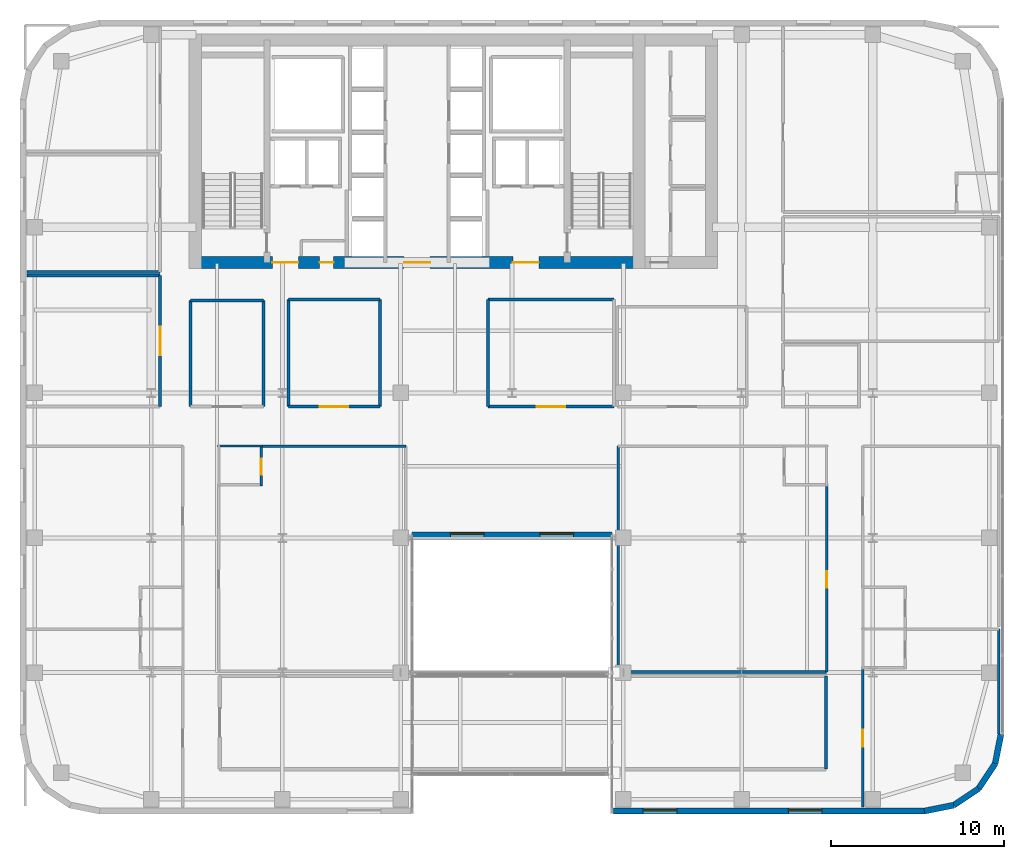
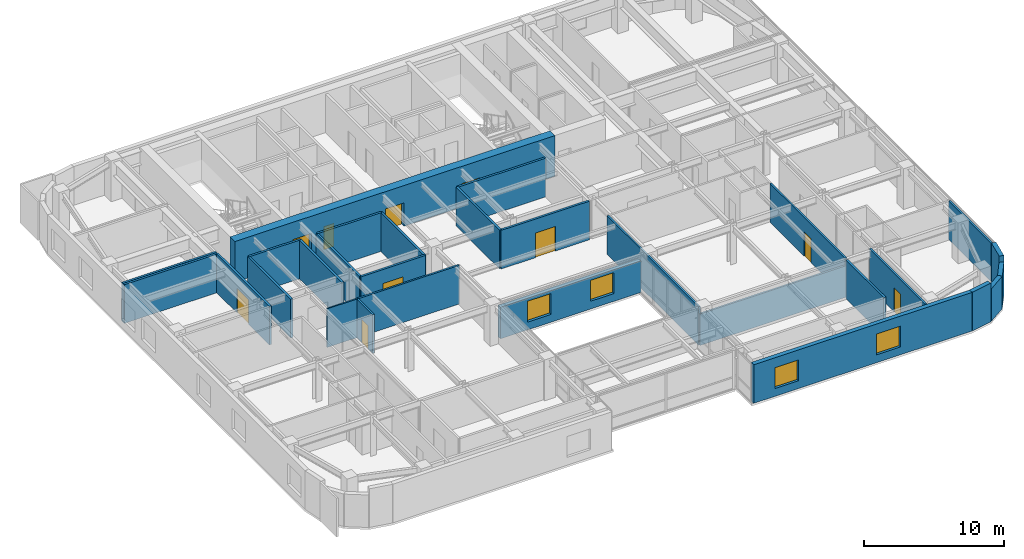
# One storey, part 19 of 25: 29 walls, 10 doors, 4 windows, 14 openings.
"""IFC4 building model written with IfcOpenShell, lengths in metres."""

from ifc_helpers import new_model, si_unit, direction, frame, frame_2d, origin, place, context, subcontext, project, spatial, rectangle, extrude, source, transform, mapped, material, layer, layer_set, type_object, type_shapes, element, fill, save


model = new_model("IFC4")

# Units and contexts
model_context = context("Model", 3, precision=1e-05, world=origin(), true_north=direction((0.0, 1.0)))
body_context = subcontext(model_context, "Body", "Model", "MODEL_VIEW")
ifc_project = project(units=[si_unit("LENGTHUNIT", "METRE"), si_unit("AREAUNIT", "SQUARE_METRE"), si_unit("VOLUMEUNIT", "CUBIC_METRE"), si_unit("PLANEANGLEUNIT", "RADIAN"), si_unit("MASSUNIT", "GRAM", prefix="KILO")], contexts=[model_context])

# Site, building, storey
site_placement = place(None, origin())
site = spatial("IfcSite", under=ifc_project, at=site_placement, CompositionType="ELEMENT")
building_placement = place(site_placement, origin())
building = spatial("IfcBuilding", under=site, at=building_placement, Name="Tolvann Quenvar Hotel", CompositionType="ELEMENT")
storey_placement = place(building_placement, frame((0.0, 0.0, 122.199951171875)))
storey = spatial("IfcBuildingStorey", under=building, at=storey_placement, Name="L31", CompositionType="ELEMENT", Elevation=122.199951171875)

# Wall, openings, doors
ifc_material_1 = material(Name="Concrete S65 (65 MPa)", Category="concrete")
ifc_layer_1 = layer(ifc_material_1, 0.699951171875)
ifc_layer_set_1 = layer_set([ifc_layer_1], Name="Concrete S65 (65 MPa)")
wall_type_1 = type_object("IfcWallType", Name="WALL_CORE_700", PredefinedType="SHEAR", material=ifc_layer_set_1)
wall_1_placement = place(storey_placement, frame((9.800048828125, 31.949951171875, 0.0), z_axis=(0.0, 0.0, 1.0), x_axis=(1.0, 0.0, 0.0)))
wall_1 = element("IfcWall", 1, at=wall_1_placement, inside=storey, type_object=wall_type_1, Name="Rear Core S Shear Wall (L31)", PredefinedType="SHEAR", context=body_context, shape_type="SweptSolid", body=[
    extrude(rectangle(XDim=26.39990234375, YDim=0.699951171875, at=frame_2d((13.199951171875, 0.0))), origin(), (0.0, 0.0, 1.0), 3.550048828125),
])
opening_1_placement = place(wall_1_placement, frame((6.320068359375, 0.0, 0.0), z_axis=(0.0, 0.0, 1.0), x_axis=(-1.0, 0.0, 0.0)))
opening_1 = element("IfcOpeningElement", 2, at=opening_1_placement, cuts=wall_1, Name="Opening FD-60D", PredefinedType="OPENING", context=body_context, shape_type="SweptSolid", body=[
    extrude(rectangle(XDim=1.5, YDim=2.0400390625, at=frame_2d((0.75, 1.02001953125))), frame((0.0, 0.35986328125, 0.0), z_axis=(0.0, -1.0, 0.0), x_axis=(1.0, 0.0, 0.0)), (0.0, 0.0, 1.0), 0.719970703125),
])
opening_2_placement = place(wall_1_placement, frame((13.949951171875, 0.0, 0.0), z_axis=(0.0, 0.0, 1.0), x_axis=(-1.0, 0.0, 0.0)))
opening_2 = element("IfcOpeningElement", 3, at=opening_2_placement, cuts=wall_1, Name="Opening FD-60D", PredefinedType="OPENING", context=body_context, shape_type="SweptSolid", body=[
    extrude(rectangle(XDim=1.5, YDim=2.0400390625, at=frame_2d((0.75, 1.02001953125))), frame((0.0, 0.35986328125, 0.0), z_axis=(0.0, -1.0, 0.0), x_axis=(1.0, 0.0, 0.0)), (0.0, 0.0, 1.0), 0.719970703125),
])
opening_3_placement = place(wall_1_placement, frame((20.25, 0.0, 0.0), z_axis=(0.0, 0.0, 1.0), x_axis=(-1.0, 0.0, 0.0)))
opening_3 = element("IfcOpeningElement", 4, at=opening_3_placement, cuts=wall_1, Name="Opening FD-60D", PredefinedType="OPENING", context=body_context, shape_type="SweptSolid", body=[
    extrude(rectangle(XDim=1.5, YDim=2.0400390625, at=frame_2d((0.75, 1.02001953125))), frame((0.0, 0.35986328125, 0.0), z_axis=(0.0, -1.0, 0.0), x_axis=(1.0, 0.0, 0.0)), (0.0, 0.0, 1.0), 0.719970703125),
])
opening_4_placement = place(wall_1_placement, frame((8.3701171875, 0.0, 0.0), z_axis=(0.0, 0.0, 1.0), x_axis=(-1.0, 0.0, 0.0)))
opening_4 = element("IfcOpeningElement", 5, at=opening_4_placement, cuts=wall_1, Name="Opening HD-02", PredefinedType="OPENING", context=body_context, shape_type="SweptSolid", body=[
    extrude(rectangle(XDim=0.820068359375, YDim=2.010009765625, at=frame_2d((0.41015625, 1.0048828125))), frame((0.0, 0.35986328125, 0.0), z_axis=(0.0, -1.0, 0.0), x_axis=(1.0, 0.0, 0.0)), (0.0, 0.0, 1.0), 0.719970703125),
])
ifc_material_2 = material(Name="Solid-core American oak acoustic fire door leaf in steel frame", Category="steel")
door_type_1 = type_object("IfcDoorType", Name="DOOR_FIRE_LOBBY_1500", OperationType="NOTDEFINED", PredefinedType="DOOR", material=ifc_material_2)
shared_shape_1 = source(origin(), body_context, "Body", "SweptSolid", [
    extrude(rectangle(XDim=1.5, YDim=2.0400390625, at=frame_2d((0.75, 1.02001953125))), frame((0.0, 0.02490234375, 0.0), z_axis=(0.0, -1.0, 0.0), x_axis=(1.0, 0.0, 0.0)), (0.0, 0.0, 1.0), 0.050048828125),
])
type_shapes(door_type_1, [shared_shape_1])
door_1_placement = place(opening_1_placement, origin())
door_1 = element("IfcDoor", 6, at=door_1_placement, inside=storey, type_object=door_type_1, Name="Core Lobby Fire Door FFW (L31)", OperationType="DOUBLE_DOOR_SINGLE_SWING", OverallHeight=2.0400390625, OverallWidth=1.5, PredefinedType="DOOR", context=body_context, shape_type="MappedRepresentation", body=[
    mapped(shared_shape_1, transform((0.0, 0.0, 0.0), x_axis=(1.0, 0.0, 0.0), y_axis=(0.0, 1.0, 0.0), z_axis=(0.0, 0.0, 1.0), scale=1.0)),
])
fill(opening_1, door_1)
door_2_placement = place(opening_2_placement, origin())
door_2 = element("IfcDoor", 7, at=door_2_placement, inside=storey, type_object=door_type_1, Name="Core Lobby Fire Door CLOB (L31)", OperationType="DOUBLE_DOOR_SINGLE_SWING", OverallHeight=2.0400390625, OverallWidth=1.5, PredefinedType="DOOR", context=body_context, shape_type="MappedRepresentation", body=[
    mapped(shared_shape_1, transform((0.0, 0.0, 0.0), x_axis=(1.0, 0.0, 0.0), y_axis=(0.0, 1.0, 0.0), z_axis=(0.0, 0.0, 1.0), scale=1.0)),
])
fill(opening_2, door_2)
door_3_placement = place(opening_3_placement, origin())
door_3 = element("IfcDoor", 8, at=door_3_placement, inside=storey, type_object=door_type_1, Name="Core Lobby Fire Door FFE (L31)", OperationType="DOUBLE_DOOR_SINGLE_SWING", OverallHeight=2.0400390625, OverallWidth=1.5, PredefinedType="DOOR", context=body_context, shape_type="MappedRepresentation", body=[
    mapped(shared_shape_1, transform((0.0, 0.0, 0.0), x_axis=(1.0, 0.0, 0.0), y_axis=(0.0, 1.0, 0.0), z_axis=(0.0, 0.0, 1.0), scale=1.0)),
])
fill(opening_3, door_3)
ifc_material_3 = material(Name="Pressed galvanised steel fire-rated door set", Category="steel")
door_type_2 = type_object("IfcDoorType", Name="DOOR_STORE_820", OperationType="NOTDEFINED", PredefinedType="DOOR", material=ifc_material_3)
shared_shape_2 = source(origin(), body_context, "Body", "SweptSolid", [
    extrude(rectangle(XDim=0.820068359375, YDim=2.010009765625, at=frame_2d((0.41015625, 1.0048828125))), frame((0.0, 0.02490234375, 0.0), z_axis=(0.0, -1.0, 0.0), x_axis=(1.0, 0.0, 0.0)), (0.0, 0.0, 1.0), 0.050048828125),
])
type_shapes(door_type_2, [shared_shape_2])
door_4_placement = place(opening_4_placement, origin())
door_4 = element("IfcDoor", 9, at=door_4_placement, inside=storey, type_object=door_type_2, Name="Core Linen Store Fire Door (L31)", OperationType="SINGLE_SWING_LEFT", OverallHeight=2.010009765625, OverallWidth=0.820068359375, PredefinedType="DOOR", context=body_context, shape_type="MappedRepresentation", body=[
    mapped(shared_shape_2, transform((0.0, 0.0, 0.0), x_axis=(1.0, 0.0, 0.0), y_axis=(0.0, 1.0, 0.0), z_axis=(0.0, 0.0, 1.0), scale=1.0)),
])
fill(opening_4, door_4)

# Wall, openings, windows
ifc_material_4 = material(Name="Kiln-fired red and buff architectural clay brickwork and terracotta masonry", Category="masonry")
ifc_layer_2 = layer(ifc_material_4, 0.35009765625)
ifc_layer_set_2 = layer_set([ifc_layer_2], Name="Kiln-fired red and buff architectural clay brickwork and terracotta masonry")
wall_type_2 = type_object("IfcWallType", Name="WALL_EXT_BRICK_350", PredefinedType="SOLIDWALL", material=ifc_layer_set_2)
wall_2_placement = place(storey_placement, frame((22.7099609375, 16.175048828125, 0.0), z_axis=(0.0, 0.0, 1.0), x_axis=(1.0, 0.0, 0.0)))
wall_2 = element("IfcWall", 10, at=wall_2_placement, inside=storey, type_object=wall_type_2, Name="Exterior Chicago Brick Wall L31-E06", PredefinedType="SOLIDWALL", context=body_context, shape_type="SweptSolid", body=[
    extrude(rectangle(XDim=11.580078125, YDim=0.35009765625, at=frame_2d((5.7900390625, 0.0))), origin(), (0.0, 0.0, 1.0), 2.748046875),
])
opening_5_placement = place(wall_2_placement, frame((2.219970703125, 0.0, 0.679931640625)))
opening_5 = element("IfcOpeningElement", 11, at=opening_5_placement, cuts=wall_2, Name="Opening W-10", PredefinedType="OPENING", context=body_context, shape_type="SweptSolid", body=[
    extrude(rectangle(XDim=1.949951171875, YDim=1.820068359375, at=frame_2d((0.97509765625, 0.91015625))), frame((0.0, 0.18505859375, 0.0), z_axis=(0.0, -1.0, 0.0), x_axis=(1.0, 0.0, 0.0)), (0.0, 0.0, 1.0), 0.3701171875),
])
opening_6_placement = place(wall_2_placement, frame((7.409912109375, 0.0, 0.679931640625)))
opening_6 = element("IfcOpeningElement", 12, at=opening_6_placement, cuts=wall_2, Name="Opening W-10", PredefinedType="OPENING", context=body_context, shape_type="SweptSolid", body=[
    extrude(rectangle(XDim=1.949951171875, YDim=1.820068359375, at=frame_2d((0.97509765625, 0.91015625))), frame((0.0, 0.18505859375, 0.0), z_axis=(0.0, -1.0, 0.0), x_axis=(1.0, 0.0, 0.0)), (0.0, 0.0, 1.0), 0.3701171875),
])
ifc_material_5 = material(Name="Thermally broken bronze-anodised aluminium frame with double low-E glazing", Category="aluminium")
window_type = type_object("IfcWindowType", Name="WIN_CLB_1950x1850", PartitioningType="DOUBLE_PANEL_VERTICAL", PredefinedType="WINDOW", material=ifc_material_5)
shared_shape_3 = source(origin(), body_context, "Body", "SweptSolid", [
    extrude(rectangle(XDim=1.949951171875, YDim=1.820068359375, at=frame_2d((0.97509765625, 0.91015625))), frame((0.0, 0.090087890625, 0.0), z_axis=(0.0, -1.0, 0.0), x_axis=(1.0, 0.0, 0.0)), (0.0, 0.0, 1.0), 0.06005859375),
])
type_shapes(window_type, [shared_shape_3])
window_1_placement = place(opening_5_placement, origin())
window_1 = element("IfcWindow", 13, at=window_1_placement, inside=storey, type_object=window_type, Name="Chicago Window W-10 (EW-L31-E06-W01)", OverallHeight=1.820068359375, OverallWidth=1.949951171875, PartitioningType="DOUBLE_PANEL_VERTICAL", PredefinedType="WINDOW", context=body_context, shape_type="MappedRepresentation", body=[
    mapped(shared_shape_3, transform((0.0, 0.0, 0.0), x_axis=(1.0, 0.0, 0.0), y_axis=(0.0, 1.0, 0.0), z_axis=(0.0, 0.0, 1.0), scale=1.0)),
])
fill(opening_5, window_1)
window_2_placement = place(opening_6_placement, origin())
window_2 = element("IfcWindow", 14, at=window_2_placement, inside=storey, type_object=window_type, Name="Chicago Window W-10 (EW-L31-E06-W02)", OverallHeight=1.820068359375, OverallWidth=1.949951171875, PartitioningType="DOUBLE_PANEL_VERTICAL", PredefinedType="WINDOW", context=body_context, shape_type="MappedRepresentation", body=[
    mapped(shared_shape_3, transform((0.0, 0.0, 0.0), x_axis=(1.0, 0.0, 0.0), y_axis=(0.0, 1.0, 0.0), z_axis=(0.0, 0.0, 1.0), scale=1.0)),
])
fill(opening_6, window_2)

wall_3_placement = place(storey_placement, frame((34.375, 0.175048828125, 0.0), z_axis=(0.0, 0.0, 1.0), x_axis=(1.0, 0.0, 0.0)))
wall_3 = element("IfcWall", 15, at=wall_3_placement, inside=storey, type_object=wall_type_2, Name="Exterior Chicago Brick Wall L31-E08", PredefinedType="SOLIDWALL", context=body_context, shape_type="SweptSolid", body=[
    extrude(rectangle(XDim=18.0078125, YDim=0.35009765625, at=frame_2d((9.00390625, 0.0))), origin(), (0.0, 0.0, 1.0), 3.3701171875),
])
opening_7_placement = place(wall_3_placement, frame((1.72607421875, 0.0, 0.679931640625)))
opening_7 = element("IfcOpeningElement", 16, at=opening_7_placement, cuts=wall_3, Name="Opening W-10", PredefinedType="OPENING", context=body_context, shape_type="SweptSolid", body=[
    extrude(rectangle(XDim=1.949951171875, YDim=1.820068359375, at=frame_2d((0.97509765625, 0.91015625))), frame((0.0, 0.18505859375, 0.0), z_axis=(0.0, -1.0, 0.0), x_axis=(1.0, 0.0, 0.0)), (0.0, 0.0, 1.0), 0.3701171875),
])
opening_8_placement = place(wall_3_placement, frame((10.1298828125, 0.0, 0.679931640625)))
opening_8 = element("IfcOpeningElement", 17, at=opening_8_placement, cuts=wall_3, Name="Opening W-10", PredefinedType="OPENING", context=body_context, shape_type="SweptSolid", body=[
    extrude(rectangle(XDim=1.949951171875, YDim=1.820068359375, at=frame_2d((0.97509765625, 0.91015625))), frame((0.0, 0.18505859375, 0.0), z_axis=(0.0, -1.0, 0.0), x_axis=(1.0, 0.0, 0.0)), (0.0, 0.0, 1.0), 0.3701171875),
])
window_3_placement = place(opening_7_placement, origin())
window_3 = element("IfcWindow", 18, at=window_3_placement, inside=storey, type_object=window_type, Name="Chicago Window W-10 (EW-L31-E08-W01)", OverallHeight=1.820068359375, OverallWidth=1.949951171875, PartitioningType="DOUBLE_PANEL_VERTICAL", PredefinedType="WINDOW", context=body_context, shape_type="MappedRepresentation", body=[
    mapped(shared_shape_3, transform((0.0, 0.0, 0.0), x_axis=(1.0, 0.0, 0.0), y_axis=(0.0, 1.0, 0.0), z_axis=(0.0, 0.0, 1.0), scale=1.0)),
])
fill(opening_7, window_3)
window_4_placement = place(opening_8_placement, origin())
window_4 = element("IfcWindow", 19, at=window_4_placement, inside=storey, type_object=window_type, Name="Chicago Window W-10 (EW-L31-E08-W02)", OverallHeight=1.820068359375, OverallWidth=1.949951171875, PartitioningType="DOUBLE_PANEL_VERTICAL", PredefinedType="WINDOW", context=body_context, shape_type="MappedRepresentation", body=[
    mapped(shared_shape_3, transform((0.0, 0.0, 0.0), x_axis=(1.0, 0.0, 0.0), y_axis=(0.0, 1.0, 0.0), z_axis=(0.0, 0.0, 1.0), scale=1.0)),
])
fill(opening_8, window_4)

# Walls
wall_4_placement = place(storey_placement, frame((52.3828125, 0.175048828125, 0.0), z_axis=(0.0, 0.0, 1.0), x_axis=(0.980800971659, 0.195011420161, 0.0)))
element("IfcWall", 20, at=wall_4_placement, inside=storey, type_object=wall_type_2, Name="Exterior Chicago Brick Wall L31-E09", PredefinedType="SOLIDWALL", context=body_context, shape_type="SweptSolid", body=[
    extrude(rectangle(XDim=1.74267578125, YDim=0.35009765625, at=frame_2d((0.871337890625, 0.0))), origin(), (0.0, 0.0, 1.0), 3.3701171875),
])
for number, where, z_axis, x_axis, name in (
    (21, (54.092041015625, 0.514892578125, 0.0), (0.0, 0.0, 1.0), (0.831483840845, 0.55554893791, 0.0), "Exterior Chicago Brick Wall L31-E10"),
    (22, (55.526611328125, 1.473388671875, 0.0), (0.0, 0.0, 1.0), (0.55554893791, 0.831483840845, 0.0), "Exterior Chicago Brick Wall L31-E11"),
):
    element("IfcWall", number, at=place(storey_placement, frame(where, z_axis=z_axis, x_axis=x_axis)), inside=storey, type_object=wall_type_2, Name=name, PredefinedType="SOLIDWALL", context=body_context, shape_type="SweptSolid", body=[
        extrude(rectangle(XDim=1.725341796875, YDim=0.35009765625, at=frame_2d((0.86279296875, 0.0))), origin(), (0.0, 0.0, 1.0), 2.83203125),
    ])
wall_5_placement = place(storey_placement, frame((56.485107421875, 2.907958984375, 0.0), z_axis=(0.0, 0.0, 1.0), x_axis=(0.195011420161, 0.980800971659, 0.0)))
element("IfcWall", 23, at=wall_5_placement, inside=storey, type_object=wall_type_2, Name="Exterior Chicago Brick Wall L31-E12", PredefinedType="SOLIDWALL", context=body_context, shape_type="SweptSolid", body=[
    extrude(rectangle(XDim=1.74267578125, YDim=0.35009765625, at=frame_2d((0.871337890625, 0.0))), origin(), (0.0, 0.0, 1.0), 3.3701171875),
])
ifc_material_6 = material(Name="Acoustic twin-stud fire-rated gypsum plasterboard partition")
ifc_layer_3 = layer(ifc_material_6, 0.179931640625)
ifc_layer_set_3 = layer_set([ifc_layer_3], Name="Acoustic twin-stud fire-rated gypsum plasterboard partition")
wall_type_3 = type_object("IfcWallType", Name="WALL_PART_ACOUSTIC_180", PredefinedType="PARTITIONING", material=ifc_layer_set_3)
wall_6_placement = place(storey_placement, frame((0.405029296875, 31.199951171875, 0.0), z_axis=(0.0, 0.0, 1.0), x_axis=(1.0, 0.0, 0.0)))
element("IfcWall", 24, at=wall_6_placement, inside=storey, type_object=wall_type_3, Name="Interior Partition PT-SPC-L31-SAL-N", PredefinedType="PARTITIONING", context=body_context, shape_type="SweptSolid", body=[
    extrude(rectangle(XDim=7.715087890625, YDim=0.179931640625, at=frame_2d((3.857421875, 0.0))), origin(), (0.0, 0.0, 1.0), 3.3701171875),
])

# Wall, opening, door
wall_7_placement = place(storey_placement, frame((8.1201171875, 23.60009765625, 0.0), z_axis=(0.0, 0.0, 1.0), x_axis=(0.0, 1.0, 0.0)))
wall_7 = element("IfcWall", 25, at=wall_7_placement, inside=storey, type_object=wall_type_3, Name="Interior Partition PT-SPC-L31-SAL-E", PredefinedType="PARTITIONING", context=body_context, shape_type="SweptSolid", body=[
    extrude(rectangle(XDim=7.599853515625, YDim=0.179931640625, at=frame_2d((3.7998046875, 0.0))), origin(), (0.0, 0.0, 1.0), 3.3701171875),
])
opening_9_placement = place(wall_7_placement, frame((2.97509765625, 0.0, 0.0)))
opening_9 = element("IfcOpeningElement", 26, at=opening_9_placement, cuts=wall_7, Name="Opening AD-01", PredefinedType="OPENING", context=body_context, shape_type="SweptSolid", body=[
    extrude(rectangle(XDim=1.64990234375, YDim=2.14990234375, at=frame_2d((0.824951171875, 1.074951171875))), frame((0.0, 0.10009765625, 0.0), z_axis=(0.0, -1.0, 0.0), x_axis=(1.0, 0.0, 0.0)), (0.0, 0.0, 1.0), 0.199951171875),
])
door_type_3 = type_object("IfcDoorType", Name="DOOR_SALON_1650", OperationType="NOTDEFINED", PredefinedType="DOOR", material=ifc_material_2)
shared_shape_4 = source(origin(), body_context, "Body", "SweptSolid", [
    extrude(rectangle(XDim=1.64990234375, YDim=2.14990234375, at=frame_2d((0.824951171875, 1.074951171875))), frame((0.0, 0.02490234375, 0.0), z_axis=(0.0, -1.0, 0.0), x_axis=(1.0, 0.0, 0.0)), (0.0, 0.0, 1.0), 0.050048828125),
])
type_shapes(door_type_3, [shared_shape_4])
door_5_placement = place(opening_9_placement, origin())
door_5 = element("IfcDoor", 27, at=door_5_placement, inside=storey, type_object=door_type_3, Name="Interior Door DOOR-SPC-L31-SAL", OperationType="DOUBLE_DOOR_SINGLE_SWING", OverallHeight=2.14990234375, OverallWidth=1.64990234375, PredefinedType="DOOR", context=body_context, shape_type="MappedRepresentation", body=[
    mapped(shared_shape_4, transform((0.0, 0.0, 0.0), x_axis=(1.0, 0.0, 0.0), y_axis=(0.0, 1.0, 0.0), z_axis=(0.0, 0.0, 1.0), scale=1.0)),
])
fill(opening_9, door_5)

# Walls
wall_8_placement = place(storey_placement, frame((0.405029296875, 31.39990234375, 0.0), z_axis=(0.0, 0.0, 1.0), x_axis=(1.0, 0.0, 0.0)))
element("IfcWall", 28, at=wall_8_placement, inside=storey, type_object=wall_type_3, Name="Interior Partition PT-SPC-L31-MTG-S", PredefinedType="PARTITIONING", context=body_context, shape_type="SweptSolid", body=[
    extrude(rectangle(XDim=7.715087890625, YDim=0.179931640625, at=frame_2d((3.857421875, 0.0))), origin(), (0.0, 0.0, 1.0), 3.3701171875),
])
wall_9_placement = place(storey_placement, frame((9.8798828125, 29.75, 0.0), z_axis=(0.0, 0.0, 1.0), x_axis=(1.0, 0.0, 0.0)))
element("IfcWall", 29, at=wall_9_placement, inside=storey, type_object=wall_type_3, Name="Interior Partition PT-SPC-L31-MSP-W-N", PredefinedType="PARTITIONING", context=body_context, shape_type="SweptSolid", body=[
    extrude(rectangle(XDim=4.22021484375, YDim=0.179931640625, at=frame_2d((2.110107421875, 0.0))), origin(), (0.0, 0.0, 1.0), 3.3701171875),
])
for number, where, z_axis, x_axis, name in (
    (30, (9.8798828125, 23.60009765625, 0.0), (0.0, 0.0, 1.0), (0.0, 1.0, 0.0), "Interior Partition PT-SPC-L31-MSP-W-W"),
    (31, (14.10009765625, 23.60009765625, 0.0), (0.0, 0.0, 1.0), (0.0, 1.0, 0.0), "Interior Partition PT-SPC-L31-MSP-W-E"),
):
    element("IfcWall", number, at=place(storey_placement, frame(where, z_axis=z_axis, x_axis=x_axis)), inside=storey, type_object=wall_type_3, Name=name, PredefinedType="PARTITIONING", context=body_context, shape_type="SweptSolid", body=[
        extrude(rectangle(XDim=6.14990234375, YDim=0.179931640625, at=frame_2d((3.074951171875, 0.0))), origin(), (0.0, 0.0, 1.0), 3.3701171875),
    ])

# Wall, opening, door
wall_10_placement = place(storey_placement, frame((27.10009765625, 23.60009765625, 0.0), z_axis=(0.0, 0.0, 1.0), x_axis=(1.0, 0.0, 0.0)))
wall_10 = element("IfcWall", 32, at=wall_10_placement, inside=storey, type_object=wall_type_3, Name="Interior Partition PT-SPC-L31-MSP-C-S", PredefinedType="PARTITIONING", context=body_context, shape_type="SweptSolid", body=[
    extrude(rectangle(XDim=7.2998046875, YDim=0.179931640625, at=frame_2d((3.64990234375, 0.0))), origin(), (0.0, 0.0, 1.0), 3.3701171875),
])
opening_10_placement = place(wall_10_placement, frame((2.824951171875, 0.0, 0.0)))
opening_10 = element("IfcOpeningElement", 33, at=opening_10_placement, cuts=wall_10, Name="Opening AD-01", PredefinedType="OPENING", context=body_context, shape_type="SweptSolid", body=[
    extrude(rectangle(XDim=1.64990234375, YDim=2.14990234375, at=frame_2d((0.824951171875, 1.074951171875))), frame((0.0, 0.10009765625, 0.0), z_axis=(0.0, -1.0, 0.0), x_axis=(1.0, 0.0, 0.0)), (0.0, 0.0, 1.0), 0.199951171875),
])
door_6_placement = place(opening_10_placement, origin())
door_6 = element("IfcDoor", 34, at=door_6_placement, inside=storey, type_object=door_type_3, Name="Interior Door DOOR-SPC-L31-MSP-C", OperationType="DOUBLE_DOOR_SINGLE_SWING", OverallHeight=2.14990234375, OverallWidth=1.64990234375, PredefinedType="DOOR", context=body_context, shape_type="MappedRepresentation", body=[
    mapped(shared_shape_4, transform((0.0, 0.0, 0.0), x_axis=(1.0, 0.0, 0.0), y_axis=(0.0, 1.0, 0.0), z_axis=(0.0, 0.0, 1.0), scale=1.0)),
])
fill(opening_10, door_6)

# Walls
wall_11_placement = place(storey_placement, frame((27.10009765625, 29.800048828125, 0.0), z_axis=(0.0, 0.0, 1.0), x_axis=(1.0, 0.0, 0.0)))
element("IfcWall", 35, at=wall_11_placement, inside=storey, type_object=wall_type_3, Name="Interior Partition PT-SPC-L31-MSP-C-N", PredefinedType="PARTITIONING", context=body_context, shape_type="SweptSolid", body=[
    extrude(rectangle(XDim=7.2998046875, YDim=0.179931640625, at=frame_2d((3.64990234375, 0.0))), origin(), (0.0, 0.0, 1.0), 3.3701171875),
])
wall_12_placement = place(storey_placement, frame((27.10009765625, 23.60009765625, 0.0), z_axis=(0.0, 0.0, 1.0), x_axis=(0.0, 1.0, 0.0)))
element("IfcWall", 36, at=wall_12_placement, inside=storey, type_object=wall_type_3, Name="Interior Partition PT-SPC-L31-MSP-C-W", PredefinedType="PARTITIONING", context=body_context, shape_type="SweptSolid", body=[
    extrude(rectangle(XDim=6.199951171875, YDim=0.179931640625, at=frame_2d((3.10009765625, 0.0))), origin(), (0.0, 0.0, 1.0), 3.3701171875),
])

# Wall, opening, door
wall_13_placement = place(storey_placement, frame((15.550048828125, 23.60009765625, 0.0), z_axis=(0.0, 0.0, 1.0), x_axis=(1.0, 0.0, 0.0)))
wall_13 = element("IfcWall", 37, at=wall_13_placement, inside=storey, type_object=wall_type_3, Name="Interior Partition PT-SPC-L31-MSP-N-S", PredefinedType="PARTITIONING", context=body_context, shape_type="SweptSolid", body=[
    extrude(rectangle(XDim=5.300048828125, YDim=0.179931640625, at=frame_2d((2.64990234375, 0.0))), origin(), (0.0, 0.0, 1.0), 3.3701171875),
])
opening_11_placement = place(wall_13_placement, frame((1.824951171875, 0.0, 0.0)))
opening_11 = element("IfcOpeningElement", 38, at=opening_11_placement, cuts=wall_13, Name="Opening AD-01", PredefinedType="OPENING", context=body_context, shape_type="SweptSolid", body=[
    extrude(rectangle(XDim=1.64990234375, YDim=2.14990234375, at=frame_2d((0.824951171875, 1.074951171875))), frame((0.0, 0.10009765625, 0.0), z_axis=(0.0, -1.0, 0.0), x_axis=(1.0, 0.0, 0.0)), (0.0, 0.0, 1.0), 0.199951171875),
])
door_7_placement = place(opening_11_placement, origin())
door_7 = element("IfcDoor", 39, at=door_7_placement, inside=storey, type_object=door_type_3, Name="Interior Door DOOR-SPC-L31-MSP-N", OperationType="DOUBLE_DOOR_SINGLE_SWING", OverallHeight=2.14990234375, OverallWidth=1.64990234375, PredefinedType="DOOR", context=body_context, shape_type="MappedRepresentation", body=[
    mapped(shared_shape_4, transform((0.0, 0.0, 0.0), x_axis=(1.0, 0.0, 0.0), y_axis=(0.0, 1.0, 0.0), z_axis=(0.0, 0.0, 1.0), scale=1.0)),
])
fill(opening_11, door_7)

# Walls
wall_14_placement = place(storey_placement, frame((15.550048828125, 29.800048828125, 0.0), z_axis=(0.0, 0.0, 1.0), x_axis=(1.0, 0.0, 0.0)))
element("IfcWall", 40, at=wall_14_placement, inside=storey, type_object=wall_type_3, Name="Interior Partition PT-SPC-L31-MSP-N-N", PredefinedType="PARTITIONING", context=body_context, shape_type="SweptSolid", body=[
    extrude(rectangle(XDim=5.300048828125, YDim=0.179931640625, at=frame_2d((2.64990234375, 0.0))), origin(), (0.0, 0.0, 1.0), 3.3701171875),
])
for number, where, z_axis, x_axis, name in (
    (41, (15.550048828125, 23.60009765625, 0.0), (0.0, 0.0, 1.0), (0.0, 1.0, 0.0), "Interior Partition PT-SPC-L31-MSP-N-W"),
    (42, (20.85009765625, 23.60009765625, 0.0), (0.0, 0.0, 1.0), (0.0, 1.0, 0.0), "Interior Partition PT-SPC-L31-MSP-N-E"),
):
    element("IfcWall", number, at=place(storey_placement, frame(where, z_axis=z_axis, x_axis=x_axis)), inside=storey, type_object=wall_type_3, Name=name, PredefinedType="PARTITIONING", context=body_context, shape_type="SweptSolid", body=[
        extrude(rectangle(XDim=6.199951171875, YDim=0.179931640625, at=frame_2d((3.10009765625, 0.0))), origin(), (0.0, 0.0, 1.0), 3.3701171875),
    ])
wall_15_placement = place(storey_placement, frame((46.679931640625, 2.60009765625, 0.0), z_axis=(0.0, 0.0, 1.0), x_axis=(0.0, 1.0, 0.0)))
element("IfcWall", 43, at=wall_15_placement, inside=storey, type_object=wall_type_3, Name="Interior Partition PT-SPC-L31-BRG-E", PredefinedType="PARTITIONING", context=body_context, shape_type="SweptSolid", body=[
    extrude(rectangle(XDim=5.39990234375, YDim=0.179931640625, at=frame_2d((2.699951171875, 0.0))), origin(), (0.0, 0.0, 1.0), 3.3701171875),
])
ifc_material_7 = material(Name="Moisture-resistant acoustic plumbing wall assembly")
ifc_layer_4 = layer(ifc_material_7, 0.1201171875)
ifc_layer_set_4 = layer_set([ifc_layer_4], Name="Moisture-resistant acoustic plumbing wall assembly")
wall_type_4 = type_object("IfcWallType", Name="WALL_PART_BATH_120", PredefinedType="PLUMBINGWALL", material=ifc_layer_set_4)
wall_16_placement = place(storey_placement, frame((11.449951171875, 21.320068359375, 0.0), z_axis=(0.0, 0.0, 1.0), x_axis=(1.0, 0.0, 0.0)))
element("IfcWall", 44, at=wall_16_placement, inside=storey, type_object=wall_type_4, Name="Non-Rated Plumbing Partition PT-SPC-L31-ENS-WI01-N", PredefinedType="PLUMBINGWALL", context=body_context, shape_type="SweptSolid", body=[
    extrude(rectangle(XDim=2.590087890625, YDim=0.1201171875, at=frame_2d((1.294921875, 0.0))), origin(), (0.0, 0.0, 1.0), 3.3701171875),
])

# Wall, opening, door
ifc_layer_5 = layer(ifc_material_6, 0.14990234375)
ifc_layer_set_5 = layer_set([ifc_layer_5], Name="Acoustic twin-stud fire-rated gypsum plasterboard partition")
wall_type_5 = type_object("IfcWallType", Name="WALL_PART_SUITE_150", PredefinedType="PARTITIONING", material=ifc_layer_set_5)
wall_17_placement = place(storey_placement, frame((13.969970703125, 19.0, 0.0), z_axis=(0.0, 0.0, 1.0), x_axis=(0.0, 1.0, 0.0)))
wall_17 = element("IfcWall", 45, at=wall_17_placement, inside=storey, type_object=wall_type_5, Name="Interior Partition PT-SPC-L31-ENS-WI01-ENT", PredefinedType="PARTITIONING", context=body_context, shape_type="SweptSolid", body=[
    extrude(rectangle(XDim=2.389892578125, YDim=0.14990234375, at=frame_2d((1.19482421875, 0.0))), origin(), (0.0, 0.0, 1.0), 3.3701171875),
])
opening_12_placement = place(wall_17_placement, frame((0.6650390625, 0.0, 0.0)))
opening_12 = element("IfcOpeningElement", 46, at=opening_12_placement, cuts=wall_17, Name="Opening WD-01", PredefinedType="OPENING", context=body_context, shape_type="SweptSolid", body=[
    extrude(rectangle(XDim=0.919921875, YDim=2.010009765625, at=frame_2d((0.4599609375, 1.0048828125))), frame((0.0, 0.0849609375, 0.0), z_axis=(0.0, -1.0, 0.0), x_axis=(1.0, 0.0, 0.0)), (0.0, 0.0, 1.0), 0.169921875),
])
door_type_4 = type_object("IfcDoorType", Name="DOOR_WC_920", OperationType="NOTDEFINED", PredefinedType="DOOR", material=ifc_material_2)
shared_shape_5 = source(origin(), body_context, "Body", "SweptSolid", [
    extrude(rectangle(XDim=0.919921875, YDim=2.010009765625, at=frame_2d((0.4599609375, 1.0048828125))), frame((0.0, 0.02490234375, 0.0), z_axis=(0.0, -1.0, 0.0), x_axis=(1.0, 0.0, 0.0)), (0.0, 0.0, 1.0), 0.050048828125),
])
type_shapes(door_type_4, [shared_shape_5])
door_8_placement = place(opening_12_placement, origin())
door_8 = element("IfcDoor", 47, at=door_8_placement, inside=storey, type_object=door_type_4, Name="Interior Door DOOR-SPC-L31-ENS-WI01", OperationType="SINGLE_SWING_LEFT", OverallHeight=2.010009765625, OverallWidth=0.919921875, PredefinedType="DOOR", context=body_context, shape_type="MappedRepresentation", body=[
    mapped(shared_shape_5, transform((0.0, 0.0, 0.0), x_axis=(1.0, 0.0, 0.0), y_axis=(0.0, 1.0, 0.0), z_axis=(0.0, 0.0, 1.0), scale=1.0)),
])
fill(opening_12, door_8)

# Wall
wall_18_placement = place(storey_placement, frame((13.989990234375, 21.320068359375, 0.0), z_axis=(0.0, 0.0, 1.0), x_axis=(1.0, 0.0, 0.0)))
element("IfcWall", 48, at=wall_18_placement, inside=storey, type_object=wall_type_5, Name="Interior Partition PT-SPC-L31-RM-WI01-E3", PredefinedType="PARTITIONING", context=body_context, shape_type="SweptSolid", body=[
    extrude(rectangle(XDim=8.360107421875, YDim=0.14990234375, at=frame_2d((4.18017578125, 0.0))), origin(), (0.0, 0.0, 1.0), 3.3701171875),
])

# Wall, opening, door
wall_19_placement = place(storey_placement, frame((46.72998046875, 8.22998046875, 0.0), z_axis=(0.0, 0.0, 1.0), x_axis=(0.0, 1.0, 0.0)))
wall_19 = element("IfcWall", 49, at=wall_19_placement, inside=storey, type_object=wall_type_5, Name="Interior Partition PT-SPC-L31-RM-EI01-ENT", PredefinedType="PARTITIONING", context=body_context, shape_type="SweptSolid", body=[
    extrude(rectangle(XDim=10.760009765625, YDim=0.14990234375, at=frame_2d((5.3798828125, 0.0))), origin(), (0.0, 0.0, 1.0), 3.3701171875),
])
opening_13_placement = place(wall_19_placement, frame((4.8701171875, 0.0, 0.0)))
opening_13 = element("IfcOpeningElement", 50, at=opening_13_placement, cuts=wall_19, Name="Opening SD-01", PredefinedType="OPENING", context=body_context, shape_type="SweptSolid", body=[
    extrude(rectangle(XDim=0.97998046875, YDim=2.1201171875, at=frame_2d((0.489990234375, 1.06005859375))), frame((0.0, 0.0849609375, 0.0), z_axis=(0.0, -1.0, 0.0), x_axis=(1.0, 0.0, 0.0)), (0.0, 0.0, 1.0), 0.169921875),
])
door_type_5 = type_object("IfcDoorType", Name="DOOR_SUITE_980", OperationType="NOTDEFINED", PredefinedType="DOOR", material=ifc_material_2)
shared_shape_6 = source(origin(), body_context, "Body", "SweptSolid", [
    extrude(rectangle(XDim=0.97998046875, YDim=2.1201171875, at=frame_2d((0.489990234375, 1.06005859375))), frame((0.0, 0.02490234375, 0.0), z_axis=(0.0, -1.0, 0.0), x_axis=(1.0, 0.0, 0.0)), (0.0, 0.0, 1.0), 0.050048828125),
])
type_shapes(door_type_5, [shared_shape_6])
door_9_placement = place(opening_13_placement, origin())
door_9 = element("IfcDoor", 51, at=door_9_placement, inside=storey, type_object=door_type_5, Name="Interior Door DOOR-SPC-L31-RM-EI01", OperationType="SINGLE_SWING_RIGHT", OverallHeight=2.1201171875, OverallWidth=0.97998046875, PredefinedType="DOOR", context=body_context, shape_type="MappedRepresentation", body=[
    mapped(shared_shape_6, transform((0.0, 0.0, 0.0), x_axis=(1.0, 0.0, 0.0), y_axis=(0.0, 1.0, 0.0), z_axis=(0.0, 0.0, 1.0), scale=1.0)),
])
fill(opening_13, door_9)

# Walls
wall_20_placement = place(storey_placement, frame((34.64990234375, 8.22998046875, 0.0), z_axis=(0.0, 0.0, 1.0), x_axis=(1.0, 0.0, 0.0)))
element("IfcWall", 52, at=wall_20_placement, inside=storey, type_object=wall_type_5, Name="Interior Partition PT-SPC-L31-RM-EI01-E1", PredefinedType="PARTITIONING", context=body_context, shape_type="SweptSolid", body=[
    extrude(rectangle(XDim=12.080078125, YDim=0.14990234375, at=frame_2d((6.0400390625, 0.0))), origin(), (0.0, 0.0, 1.0), 2.748046875),
])
wall_21_placement = place(storey_placement, frame((34.64990234375, 8.22998046875, 0.0), z_axis=(0.0, 0.0, 1.0), x_axis=(0.0, 1.0, 0.0)))
element("IfcWall", 53, at=wall_21_placement, inside=storey, type_object=wall_type_5, Name="Interior Partition PT-SPC-L31-RM-EI01-E6", PredefinedType="PARTITIONING", context=body_context, shape_type="SweptSolid", body=[
    extrude(rectangle(XDim=13.090087890625, YDim=0.14990234375, at=frame_2d((6.544921875, 0.0))), origin(), (0.0, 0.0, 1.0), 3.3701171875),
])

# Wall, opening, door
wall_22_placement = place(storey_placement, frame((48.820068359375, 0.405029296875, 0.0), z_axis=(0.0, 0.0, 1.0), x_axis=(0.0, 1.0, 0.0)))
wall_22 = element("IfcWall", 54, at=wall_22_placement, inside=storey, type_object=wall_type_5, Name="Interior Partition PT-SPC-L31-RM-EO01-ENT", PredefinedType="PARTITIONING", context=body_context, shape_type="SweptSolid", body=[
    extrude(rectangle(XDim=7.98486328125, YDim=0.14990234375, at=frame_2d((3.992431640625, 0.0))), origin(), (0.0, 0.0, 1.0), 3.3701171875),
])
opening_14_placement = place(wall_22_placement, frame((3.510009765625, 0.0, 0.0)))
opening_14 = element("IfcOpeningElement", 55, at=opening_14_placement, cuts=wall_22, Name="Opening SD-01", PredefinedType="OPENING", context=body_context, shape_type="SweptSolid", body=[
    extrude(rectangle(XDim=0.97998046875, YDim=2.1201171875, at=frame_2d((0.489990234375, 1.06005859375))), frame((0.0, 0.0849609375, 0.0), z_axis=(0.0, -1.0, 0.0), x_axis=(1.0, 0.0, 0.0)), (0.0, 0.0, 1.0), 0.169921875),
])
door_10_placement = place(opening_14_placement, origin())
door_10 = element("IfcDoor", 56, at=door_10_placement, inside=storey, type_object=door_type_5, Name="Interior Door DOOR-SPC-L31-RM-EO01", OperationType="SINGLE_SWING_LEFT", OverallHeight=2.1201171875, OverallWidth=0.97998046875, PredefinedType="DOOR", context=body_context, shape_type="MappedRepresentation", body=[
    mapped(shared_shape_6, transform((0.0, 0.0, 0.0), x_axis=(1.0, 0.0, 0.0), y_axis=(0.0, 1.0, 0.0), z_axis=(0.0, 0.0, 1.0), scale=1.0)),
])
fill(opening_14, door_10)

# Wall
wall_23_placement = place(storey_placement, frame((56.699951171875, 4.64208984375, 0.0), z_axis=(0.0, 0.0, 1.0), x_axis=(0.0, 1.0, 0.0)))
element("IfcWall", 57, at=wall_23_placement, inside=storey, type_object=wall_type_5, Name="Interior Partition PT-SPC-L31-RM-EO01-E2", PredefinedType="PARTITIONING", context=body_context, shape_type="SweptSolid", body=[
    extrude(rectangle(XDim=6.077880859375, YDim=0.14990234375, at=frame_2d((3.0390625, 0.0))), origin(), (0.0, 0.0, 1.0), 3.3701171875),
])

save(model, "model.ifc")
